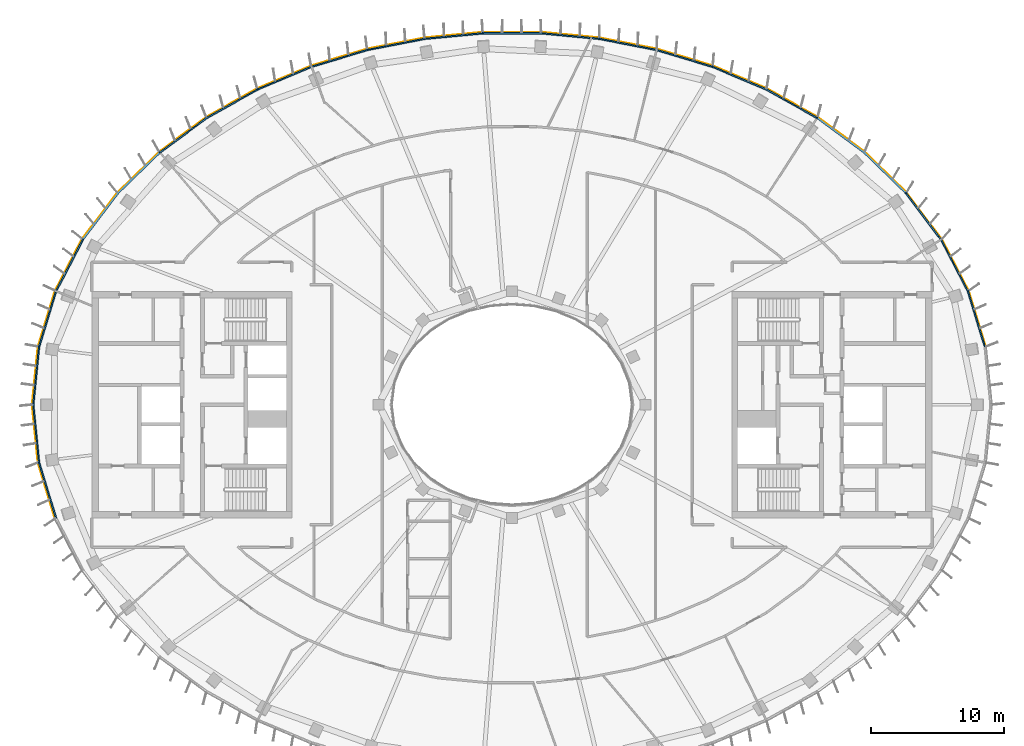
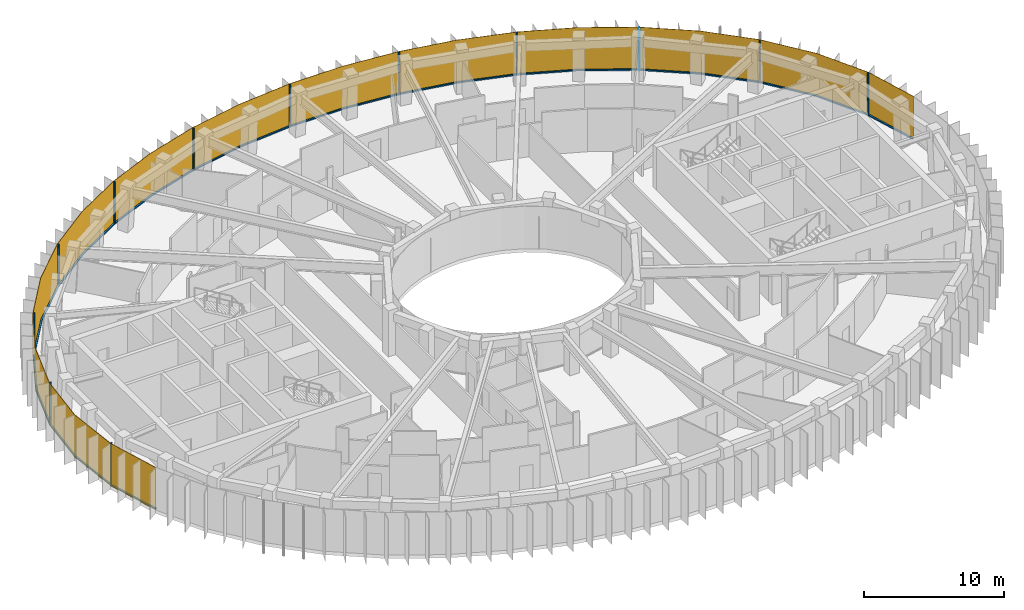
# One storey, part 10 of 13: 25 members, 1 curtain wall.
"""IFC4 building model written with IfcOpenShell, lengths in metres."""

from ifc_helpers import new_model, si_unit, direction, frame, origin, origin_2d, place, context, subcontext, project, spatial, polyline, rectangle, outline, extrude, material, layer, layer_set, material_profile, profile_set, type_object, element, aggregate, save


model = new_model("IFC4")

# Units and contexts
model_context = context("Model", 3, precision=1e-05, world=origin(), true_north=direction((0.0, 1.0)))
body_context = subcontext(model_context, "Body", "Model", "MODEL_VIEW")
ifc_project = project(units=[si_unit("LENGTHUNIT", "METRE"), si_unit("AREAUNIT", "SQUARE_METRE"), si_unit("VOLUMEUNIT", "CUBIC_METRE"), si_unit("PLANEANGLEUNIT", "RADIAN"), si_unit("MASSUNIT", "GRAM", prefix="KILO")], contexts=[model_context])

# Member
ifc_material_1 = material(Name="Aluminium 6063-T6 black anodised", Category="aluminium")
ifc_material_profile = material_profile(ifc_material_1, rectangle(XDim=0.1201171875, YDim=0.06005859375, at=origin_2d()), Name="120x60")
ifc_profile_set = profile_set([ifc_material_profile], Name="Aluminium 6063-T6 black anodised")
member_type_1 = type_object("IfcMemberType", Name="ENV-MULLION-H-120", PredefinedType="MULLION", material=ifc_profile_set)
site_placement = place(None, origin())
building_placement = place(site_placement, origin())
storey_placement = place(building_placement, frame((0.0, 0.0, 327.0)))
member_1_placement = place(storey_placement, frame((34.19580078125, 8.513916015625, 0.0), z_axis=(0.0, 0.0, 1.0), x_axis=(-0.92546738067, -0.378827305398, 0.0)))
member_1 = element("IfcMember", 1, at=member_1_placement, type_object=member_type_1, Name="Mullion H radial 03", PredefinedType="MULLION", context=body_context, shape_type="SweptSolid", body=[
    extrude(rectangle(XDim=0.1201171875, YDim=0.06005859375, at=origin_2d()), origin(), (0.0, 0.0, 1.0), 3.699951171875),
])

member_2_placement = place(storey_placement, frame((29.53857421875, 15.8671875, 0.0), z_axis=(0.0, 0.0, 1.0), x_axis=(-0.749047221705, -0.662516610853, 0.0)))
member_2 = element("IfcMember", 2, at=member_2_placement, type_object=member_type_1, Name="Mullion H radial 05", PredefinedType="MULLION", context=body_context, shape_type="SweptSolid", body=[
    extrude(rectangle(XDim=0.1201171875, YDim=0.06005859375, at=origin_2d()), origin(), (0.0, 0.0, 1.0), 3.699951171875),
])

member_3_placement = place(storey_placement, frame((22.882568359375, 21.506591796875, 0.0), z_axis=(0.0, 0.0, 1.0), x_axis=(-0.542279153225, -0.840198381323, 0.0)))
member_3 = element("IfcMember", 3, at=member_3_placement, type_object=member_type_1, Name="Mullion H radial 07", PredefinedType="MULLION", context=body_context, shape_type="SweptSolid", body=[
    extrude(rectangle(XDim=0.1201171875, YDim=0.06005859375, at=origin_2d()), origin(), (0.0, 0.0, 1.0), 3.699951171875),
])

member_4_placement = place(storey_placement, frame((15.0341796875, 25.34375, 0.0), z_axis=(0.0, 0.0, 1.0), x_axis=(-0.338379256581, -0.941009818608, 0.0)))
member_4 = element("IfcMember", 4, at=member_4_placement, type_object=member_type_1, Name="Mullion H radial 09", PredefinedType="MULLION", context=body_context, shape_type="SweptSolid", body=[
    extrude(rectangle(XDim=0.1201171875, YDim=0.06005859375, at=origin_2d()), origin(), (0.0, 0.0, 1.0), 3.699951171875),
])

member_5_placement = place(storey_placement, frame((6.54638671875, 27.440185546875, 0.0), z_axis=(0.0, 0.0, 1.0), x_axis=(-0.143082012705, -0.989710835366, 0.0)))
member_5 = element("IfcMember", 5, at=member_5_placement, type_object=member_type_1, Name="Mullion H radial 11", PredefinedType="MULLION", context=body_context, shape_type="SweptSolid", body=[
    extrude(rectangle(XDim=0.1201171875, YDim=0.06005859375, at=origin_2d()), origin(), (0.0, 0.0, 1.0), 3.699951171875),
])

member_6_placement = place(storey_placement, frame((-2.188720703125, 27.856201171875, 0.0), z_axis=(0.0, 0.0, 1.0), x_axis=(0.047557873581, -0.998868484166, 0.0)))
member_6 = element("IfcMember", 6, at=member_6_placement, type_object=member_type_1, Name="Mullion H radial 13", PredefinedType="MULLION", context=body_context, shape_type="SweptSolid", body=[
    extrude(rectangle(XDim=0.1201171875, YDim=0.06005859375, at=origin_2d()), origin(), (0.0, 0.0, 1.0), 3.699951171875),
])

member_7_placement = place(storey_placement, frame((-10.84326171875, 26.60498046875, 0.0), z_axis=(0.0, 0.0, 1.0), x_axis=(0.239799081534, -0.970822538106, 0.0)))
member_7 = element("IfcMember", 7, at=member_7_placement, type_object=member_type_1, Name="Mullion H radial 15", PredefinedType="MULLION", context=body_context, shape_type="SweptSolid", body=[
    extrude(rectangle(XDim=0.1201171875, YDim=0.06005859375, at=origin_2d()), origin(), (0.0, 0.0, 1.0), 3.699951171875),
])

member_8_placement = place(storey_placement, frame((-19.06787109375, 23.6474609375, 0.0), z_axis=(0.0, 0.0, 1.0), x_axis=(0.439237769837, -0.898370848563, 0.0)))
member_8 = element("IfcMember", 8, at=member_8_placement, type_object=member_type_1, Name="Mullion H radial 17", PredefinedType="MULLION", context=body_context, shape_type="SweptSolid", body=[
    extrude(rectangle(XDim=0.1201171875, YDim=0.06005859375, at=origin_2d()), origin(), (0.0, 0.0, 1.0), 3.699951171875),
])

member_9_placement = place(storey_placement, frame((-26.403564453125, 18.9130859375, 0.0), z_axis=(0.0, 0.0, 1.0), x_axis=(0.646451313783, -0.762955240435, 0.0)))
member_9 = element("IfcMember", 9, at=member_9_placement, type_object=member_type_1, Name="Mullion H radial 19", PredefinedType="MULLION", context=body_context, shape_type="SweptSolid", body=[
    extrude(rectangle(XDim=0.1201171875, YDim=0.06005859375, at=origin_2d()), origin(), (0.0, 0.0, 1.0), 3.699951171875),
])

member_10_placement = place(storey_placement, frame((-32.177490234375, 12.385498046875, 0.0), z_axis=(0.0, 0.0, 1.0), x_axis=(0.844829880882, -0.53503501976, 0.0)))
member_10 = element("IfcMember", 10, at=member_10_placement, type_object=member_type_1, Name="Mullion H radial 21", PredefinedType="MULLION", context=body_context, shape_type="SweptSolid", body=[
    extrude(rectangle(XDim=0.1201171875, YDim=0.06005859375, at=origin_2d()), origin(), (0.0, 0.0, 1.0), 3.699951171875),
])

member_11_placement = place(storey_placement, frame((-35.470947265625, 4.340576171875, 0.0), z_axis=(0.0, 0.0, 1.0), x_axis=(0.980379083141, -0.19712141776, 0.0)))
member_11 = element("IfcMember", 11, at=member_11_placement, type_object=member_type_1, Name="Mullion H radial 23", PredefinedType="MULLION", context=body_context, shape_type="SweptSolid", body=[
    extrude(rectangle(XDim=0.1201171875, YDim=0.06005859375, at=origin_2d()), origin(), (0.0, 0.0, 1.0), 3.699951171875),
])

member_12_placement = place(storey_placement, frame((-35.470947265625, -4.340576171875, 0.0), z_axis=(0.0, 0.0, 1.0), x_axis=(0.980379083141, 0.19712141776, 0.0)))
member_12 = element("IfcMember", 12, at=member_12_placement, type_object=member_type_1, Name="Mullion H radial 25", PredefinedType="MULLION", context=body_context, shape_type="SweptSolid", body=[
    extrude(rectangle(XDim=0.1201171875, YDim=0.06005859375, at=origin_2d()), origin(), (0.0, 0.0, 1.0), 3.699951171875),
])

ifc_material_2 = material(Name="Aluminium 6063-T6 black anodised", Category="aluminium")
member_type_2 = type_object("IfcMemberType", Name="ENV-TRANSOM-H", PredefinedType="USERDEFINED", material=ifc_material_2)
member_13_placement = place(storey_placement, origin())
member_13 = element("IfcMember", 13, at=member_13_placement, type_object=member_type_2, Name="Transom H radial 02-03", ObjectType="TRANSOM", PredefinedType="USERDEFINED", context=body_context, shape_type="SweptSolid", body=[
    extrude(outline(polyline([(35.529541015625, 4.352294921875), (34.259521484375, 8.509765625), (34.14794921875, 8.464111328125), (35.411376953125, 4.32861328125), (35.529541015625, 4.352294921875)])), origin(), (0.0, 0.0, 1.0), 0.10009765625),
])

member_14_placement = place(storey_placement, origin())
member_14 = element("IfcMember", 14, at=member_14_placement, type_object=member_type_2, Name="Transom H radial 03-05", ObjectType="TRANSOM", PredefinedType="USERDEFINED", context=body_context, shape_type="SweptSolid", body=[
    extrude(outline(polyline([(34.23828125, 8.5615234375), (32.22802734375, 12.41748046875), (29.6005859375, 15.884521484375), (29.51025390625, 15.8046875), (32.126220703125, 12.35302734375), (34.126708984375, 8.515869140625), (34.23828125, 8.5615234375)])), origin(), (0.0, 0.0, 1.0), 0.10009765625),
])

member_15_placement = place(storey_placement, origin())
member_15 = element("IfcMember", 15, at=member_15_placement, type_object=member_type_2, Name="Transom H radial 05-07", ObjectType="TRANSOM", PredefinedType="USERDEFINED", context=body_context, shape_type="SweptSolid", body=[
    extrude(outline(polyline([(29.5634765625, 15.926513671875), (26.4423828125, 18.958740234375), (22.937744140625, 21.540283203125), (22.87255859375, 21.439208984375), (26.364501953125, 18.866943359375), (29.473388671875, 15.8466796875), (29.5634765625, 15.926513671875)])), origin(), (0.0, 0.0, 1.0), 0.10009765625),
])

member_16_placement = place(storey_placement, origin())
member_16 = element("IfcMember", 16, at=member_16_placement, type_object=member_type_2, Name="Transom H radial 07-09", ObjectType="TRANSOM", PredefinedType="USERDEFINED", context=body_context, shape_type="SweptSolid", body=[
    extrude(outline(polyline([(22.890625, 21.570556640625), (19.093994140625, 23.701416015625), (15.080322265625, 25.389404296875), (15.03955078125, 25.276123046875), (19.041259765625, 23.593505859375), (22.825439453125, 21.469482421875), (22.890625, 21.570556640625)])), origin(), (0.0, 0.0, 1.0), 0.10009765625),
])

member_17_placement = place(storey_placement, origin())
member_17 = element("IfcMember", 17, at=member_17_placement, type_object=member_type_2, Name="Transom H radial 09-11", ObjectType="TRANSOM", PredefinedType="USERDEFINED", context=body_context, shape_type="SweptSolid", body=[
    extrude(outline(polyline([(15.027587890625, 25.408203125), (10.857666015625, 26.6630859375), (6.58251953125, 27.494140625), (6.5654296875, 27.375244140625), (10.828857421875, 26.54638671875), (14.987060546875, 25.295166015625), (15.027587890625, 25.408203125)])), origin(), (0.0, 0.0, 1.0), 0.10009765625),
])

member_18_placement = place(storey_placement, origin())
member_18 = element("IfcMember", 18, at=member_18_placement, type_object=member_type_2, Name="Transom H radial 11-13", ObjectType="TRANSOM", PredefinedType="USERDEFINED", context=body_context, shape_type="SweptSolid", body=[
    extrude(outline(polyline([(6.527099609375, 27.502197265625), (2.191650390625, 27.916015625), (-2.163818359375, 27.916015625), (-2.157958984375, 27.7958984375), (2.185791015625, 27.7958984375), (6.510009765625, 27.38330078125), (6.527099609375, 27.502197265625)])), origin(), (0.0, 0.0, 1.0), 0.10009765625),
])

member_19_placement = place(storey_placement, origin())
member_19 = element("IfcMember", 19, at=member_19_placement, type_object=member_type_2, Name="Transom H radial 13-15", ObjectType="TRANSOM", PredefinedType="USERDEFINED", context=body_context, shape_type="SweptSolid", body=[
    extrude(outline(polyline([(-2.219482421875, 27.913330078125), (-6.55517578125, 27.49951171875), (-10.830078125, 26.66845703125), (-10.80126953125, 26.552001953125), (-6.537841796875, 27.380615234375), (-2.2138671875, 27.793212890625), (-2.219482421875, 27.913330078125)])), origin(), (0.0, 0.0, 1.0), 0.10009765625),
])

member_20_placement = place(storey_placement, origin())
member_20 = element("IfcMember", 20, at=member_20_placement, type_object=member_type_2, Name="Transom H radial 15-17", ObjectType="TRANSOM", PredefinedType="USERDEFINED", context=body_context, shape_type="SweptSolid", body=[
    extrude(outline(polyline([(-10.884521484375, 26.655029296875), (-15.054443359375, 25.400146484375), (-19.068359375, 23.71240234375), (-19.015380859375, 23.604248046875), (-15.013916015625, 25.287109375), (-10.855712890625, 26.53857421875), (-10.884521484375, 26.655029296875)])), origin(), (0.0, 0.0, 1.0), 0.10009765625),
])

member_21_placement = place(storey_placement, origin())
member_21 = element("IfcMember", 21, at=member_21_placement, type_object=member_type_2, Name="Transom H radial 17-19", ObjectType="TRANSOM", PredefinedType="USERDEFINED", context=body_context, shape_type="SweptSolid", body=[
    extrude(outline(polyline([(-19.11865234375, 23.687744140625), (-22.9150390625, 21.556884765625), (-26.419921875, 18.975341796875), (-26.342041015625, 18.883544921875), (-22.85009765625, 21.455810546875), (-19.06591796875, 23.57958984375), (-19.11865234375, 23.687744140625)])), origin(), (0.0, 0.0, 1.0), 0.10009765625),
])

member_22_placement = place(storey_placement, origin())
member_22 = element("IfcMember", 22, at=member_22_placement, type_object=member_type_2, Name="Transom H radial 19-21", ObjectType="TRANSOM", PredefinedType="USERDEFINED", context=body_context, shape_type="SweptSolid", body=[
    extrude(outline(polyline([(-26.46240234375, 18.939208984375), (-29.58349609375, 15.906982421875), (-32.211181640625, 12.43994140625), (-32.109375, 12.37548828125), (-29.493408203125, 15.8271484375), (-26.384765625, 18.847412109375), (-26.46240234375, 18.939208984375)])), origin(), (0.0, 0.0, 1.0), 0.10009765625),
])

member_23_placement = place(storey_placement, origin())
member_23 = element("IfcMember", 23, at=member_23_placement, type_object=member_type_2, Name="Transom H radial 21-23", ObjectType="TRANSOM", PredefinedType="USERDEFINED", context=body_context, shape_type="SweptSolid", body=[
    extrude(outline(polyline([(-32.240966796875, 12.392578125), (-34.251220703125, 8.53662109375), (-35.521484375, 4.379150390625), (-35.4033203125, 4.355224609375), (-34.139892578125, 8.490966796875), (-32.139404296875, 12.328369140625), (-32.240966796875, 12.392578125)])), origin(), (0.0, 0.0, 1.0), 0.10009765625),
])

member_24_placement = place(storey_placement, origin())
member_24 = element("IfcMember", 24, at=member_24_placement, type_object=member_type_2, Name="Transom H radial 23-25", ObjectType="TRANSOM", PredefinedType="USERDEFINED", context=body_context, shape_type="SweptSolid", body=[
    extrude(outline(polyline([(-35.532470703125, 4.324462890625), (-35.9677734375, 0.0), (-35.532470703125, -4.324462890625), (-35.414306640625, -4.30078125), (-35.84716796875, 0.0), (-35.414306640625, 4.30078125), (-35.532470703125, 4.324462890625)])), origin(), (0.0, 0.0, 1.0), 0.10009765625),
])

member_25_placement = place(storey_placement, origin())
member_25 = element("IfcMember", 25, at=member_25_placement, type_object=member_type_2, Name="Transom H radial 25-26", ObjectType="TRANSOM", PredefinedType="USERDEFINED", context=body_context, shape_type="SweptSolid", body=[
    extrude(outline(polyline([(-35.521484375, -4.379150390625), (-34.251220703125, -8.53662109375), (-34.139892578125, -8.490966796875), (-35.4033203125, -4.355224609375), (-35.521484375, -4.379150390625)])), origin(), (0.0, 0.0, 1.0), 0.10009765625),
])

# Site, building, storey
site = spatial("IfcSite", under=ifc_project, at=site_placement, CompositionType="ELEMENT")
building = spatial("IfcBuilding", under=site, at=building_placement, Name="Noorbagh Ring Tower", CompositionType="ELEMENT")
storey = spatial("IfcBuildingStorey", under=building, at=storey_placement, Name="L71", CompositionType="ELEMENT", Elevation=327.0)

# Curtain wall
ifc_material_3 = material(Name="Glass dark tinted laminated", Category="glass")
ifc_layer = layer(ifc_material_3, 0.031982421875)
ifc_layer_set = layer_set([ifc_layer], Name="Glass dark tinted laminated")
curtain_wall_type = type_object("IfcCurtainWallType", Name="ENV-CW-H", PredefinedType="NOTDEFINED", material=ifc_layer_set)
curtain_wall_placement = place(storey_placement, origin())
curtain_wall = element("IfcCurtainWall", 26, at=curtain_wall_placement, inside=storey, type_object=curtain_wall_type, Name="Curtain wall H R02", PredefinedType="NOTDEFINED", context=body_context, shape_type="SweptSolid", body=[
    extrude(outline(polyline([(35.561279296875, 4.358642578125), (34.281005859375, 8.548828125), (32.255126953125, 12.434814453125), (29.607666015625, 15.927978515625), (26.463134765625, 18.9833984375), (22.9326171875, 21.583740234375), (19.108154296875, 23.730224609375), (15.065185546875, 25.430419921875), (10.865234375, 26.6943359375), (6.559814453125, 27.53125), (2.193115234375, 27.947998046875), (-2.193115234375, 27.947998046875), (-6.559814453125, 27.53125), (-10.865234375, 26.6943359375), (-15.065185546875, 25.430419921875), (-19.108154296875, 23.730224609375), (-22.9326171875, 21.583740234375), (-26.463134765625, 18.9833984375), (-29.607666015625, 15.927978515625), (-32.255126953125, 12.434814453125), (-34.281005859375, 8.548828125), (-35.561279296875, 4.358642578125), (-36.0, 0.0), (-35.561279296875, -4.358642578125), (-34.281005859375, -8.548828125), (-34.251220703125, -8.53662109375), (-35.529541015625, -4.352294921875), (-35.9677734375, 0.0), (-35.529541015625, 4.352294921875), (-34.251220703125, 8.53662109375), (-32.22802734375, 12.41748046875), (-29.58349609375, 15.906982421875), (-26.4423828125, 18.958740234375), (-22.9150390625, 21.556884765625), (-19.093994140625, 23.701416015625), (-15.054443359375, 25.400146484375), (-10.857666015625, 26.6630859375), (-6.55517578125, 27.49951171875), (-2.191650390625, 27.916015625), (2.191650390625, 27.916015625), (6.55517578125, 27.49951171875), (10.857666015625, 26.6630859375), (15.054443359375, 25.400146484375), (19.093994140625, 23.701416015625), (22.9150390625, 21.556884765625), (26.4423828125, 18.958740234375), (29.58349609375, 15.906982421875), (32.22802734375, 12.41748046875), (34.251220703125, 8.53662109375), (35.529541015625, 4.352294921875), (35.561279296875, 4.358642578125)])), origin(), (0.0, 0.0, 1.0), 3.699951171875),
])

aggregate(curtain_wall, [member_1, member_2, member_3, member_4, member_5, member_6, member_7, member_8, member_9, member_10, member_11, member_12, member_13, member_14, member_15, member_16, member_17, member_18, member_19, member_20, member_21, member_22, member_23, member_24, member_25])

save(model, "model.ifc")
